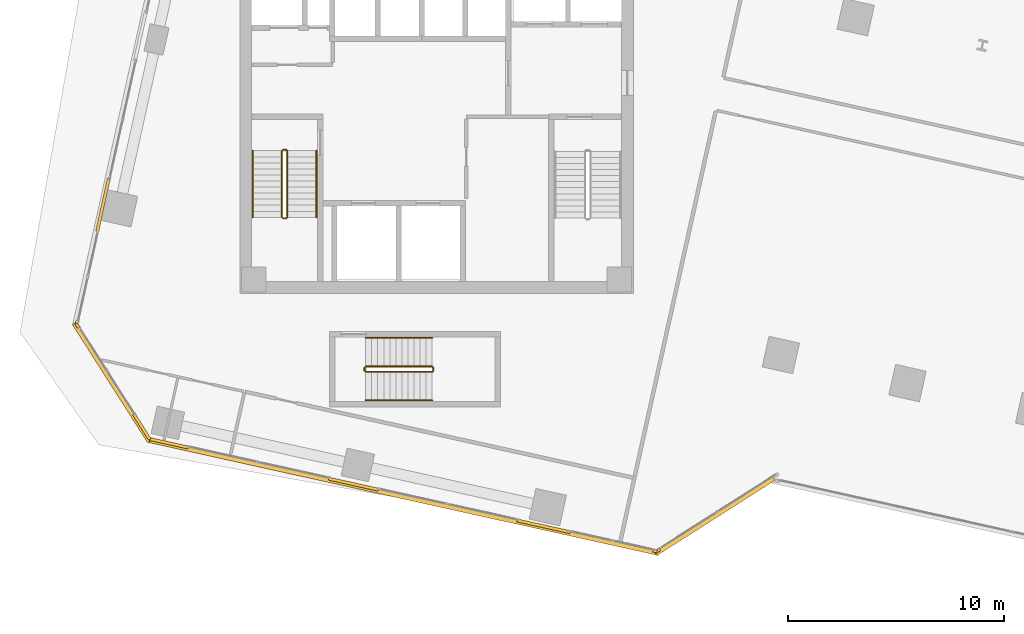
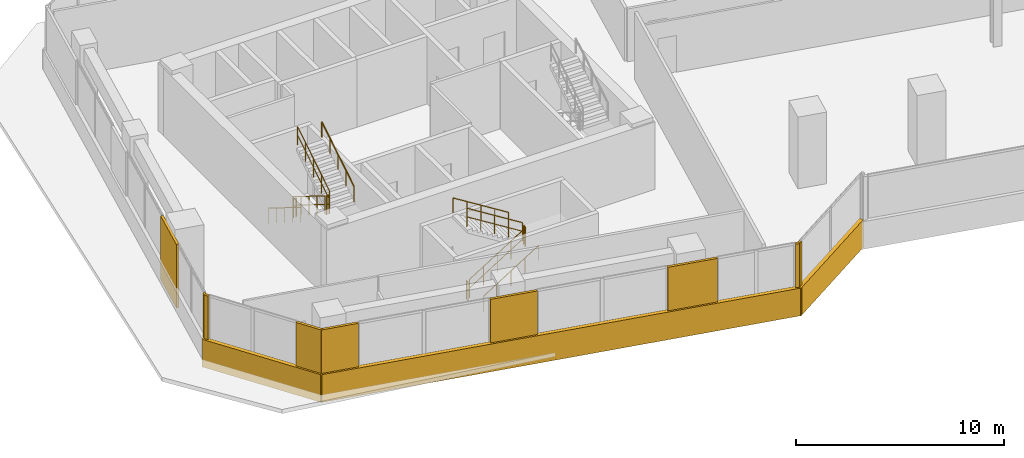
# One storey, part 22 of 25: 12 coverings, 12 railings.
"""IFC4 building model written with IfcOpenShell, lengths in metres."""

import ifcopenshell
import ifcopenshell.guid

model = None  # the IFC model being written
_history = None  # IfcOwnerHistory: only IFC2X3 demands one
_inside = {}  # id of a spatial element -> (the spatial element, [elements in it])
_under = {}  # id of a project, library or spatial element -> (it, [spatial elements below it])
_declared = {}  # id of a project -> (the project, [libraries it declares])
_typed = {}  # id of a type object -> (the type object, [elements of that type])
_made_of = {}  # id of a material, layer set ... -> (it, [elements and type objects made of it])


def new_model(schema):
    """Start an empty IFC model of exactly this schema.

    Asked for "IFC4X3", IfcOpenShell would pick the latest addendum, in which some entities
    have other attributes; the version numbers below select the first issue.
    IFC2X3 requires an IfcOwnerHistory on every rooted entity: one is made here for all.
    """
    global model, _history
    if schema == "IFC4X3":
        model = ifcopenshell.file(schema_version=(4, 3, 0, 0))
    else:
        model = ifcopenshell.file(schema=schema)
    _inside.clear()
    _under.clear()
    _declared.clear()
    _typed.clear()
    _made_of.clear()
    _history = None
    if model.schema == "IFC2X3":
        org = make("IfcOrganization", Name="unknown")
        user = make(
            "IfcPersonAndOrganization",
            ThePerson=make("IfcPerson", FamilyName="unknown"),
            TheOrganization=org,
        )
        app = make(
            "IfcApplication",
            ApplicationDeveloper=org,
            Version="unknown",
            ApplicationFullName="unknown",
            ApplicationIdentifier="unknown",
        )
        _history = make(
            "IfcOwnerHistory",
            OwningUser=user,
            OwningApplication=app,
            ChangeAction="ADDED",
            CreationDate=0,
        )
    return model


def make(cls, **values):
    """One entity of the class cls with the attributes given. An attribute that is None is left unset."""
    return model.create_entity(
        cls, **{name: value for name, value in values.items() if value is not None}
    )


def rooted(cls, **values):
    """An entity with a GlobalId (a new one), such as an element, a storey or a relation."""
    return make(cls, GlobalId=ifcopenshell.guid.new(), OwnerHistory=_history, **values)


def si_unit(unit_type, name, prefix=None):
    """IfcSIUnit, for example si_unit("LENGTHUNIT", "METRE", prefix="MILLI")."""
    return make("IfcSIUnit", UnitType=unit_type, Prefix=prefix, Name=name)


def assignment(units):
    """IfcUnitAssignment: the units of a project."""
    return None if units is None else make("IfcUnitAssignment", Units=units)


def point(xyz):
    """IfcCartesianPoint."""
    return None if xyz is None else make("IfcCartesianPoint", Coordinates=xyz)


def direction(xyz):
    """IfcDirection."""
    return None if xyz is None else make("IfcDirection", DirectionRatios=xyz)


def frame(location, z_axis=None, x_axis=None):
    """IfcAxis2Placement3D, a coordinate frame: its origin and axes. An axis left out is left unset."""
    return make(
        "IfcAxis2Placement3D",
        Location=point(location),
        Axis=direction(z_axis),
        RefDirection=direction(x_axis),
    )


def frame_2d(location, x_axis=None):
    """IfcAxis2Placement2D, a coordinate frame in the plane: its origin and x axis."""
    return make(
        "IfcAxis2Placement2D", Location=point(location), RefDirection=direction(x_axis)
    )


def origin():
    """The frame at (0, 0, 0) with its axes left unset."""
    return frame((0.0, 0.0, 0.0))


def origin_2d():
    """The frame at (0, 0) in the plane with its x axis left unset."""
    return frame_2d((0.0, 0.0))


def place(relative_to, where):
    """IfcLocalPlacement: puts the frame where relative to a parent placement (None: the world)."""
    return make(
        "IfcLocalPlacement", PlacementRelTo=relative_to, RelativePlacement=where
    )


def context(
    kind, dimensions, precision=None, world=None, true_north=None, identifier=None
):
    """IfcGeometricRepresentationContext, for example the 3D "Model" context."""
    return make(
        "IfcGeometricRepresentationContext",
        ContextIdentifier=identifier,
        ContextType=kind,
        CoordinateSpaceDimension=dimensions,
        Precision=precision,
        WorldCoordinateSystem=world,
        TrueNorth=true_north,
    )


def subcontext(parent, identifier, kind, view, scale=None):
    """IfcGeometricRepresentationSubContext, for example "Body" below "Model"."""
    return make(
        "IfcGeometricRepresentationSubContext",
        ContextIdentifier=identifier,
        ContextType=kind,
        ParentContext=parent,
        TargetScale=scale,
        TargetView=view,
    )


def project(units=None, contexts=None):
    """IfcProject with its units and contexts."""
    return rooted(
        "IfcProject",
        Name="project",
        RepresentationContexts=contexts,
        UnitsInContext=assignment(units),
    )


def spatial(cls, under=None, at=None, **own):
    """A site, building, storey or space (cls), placed at a placement, below another one or the project."""
    s = rooted(cls, ObjectPlacement=at, **own)
    if under is not None:
        _under.setdefault(under.id(), (under, []))[1].append(s)
    return s


def profile(cls, at=None, kind="AREA", **sizes):
    """A parametric profile (cls). Its sizes go by their IFC names, for example OverallWidth=200.0."""
    return make(cls, ProfileType=kind, Position=at, **sizes)


def rectangle(**sizes):
    """IfcRectangleProfileDef."""
    return profile("IfcRectangleProfileDef", **sizes)


def circle(**sizes):
    """IfcCircleProfileDef."""
    return profile("IfcCircleProfileDef", **sizes)


def extrude(swept, where, along, depth):
    """IfcExtrudedAreaSolid: the profile swept, set in the frame where, extruded along a direction by depth."""
    return make(
        "IfcExtrudedAreaSolid",
        SweptArea=swept,
        Position=where,
        ExtrudedDirection=direction(along),
        Depth=depth,
    )


def shape(context_of_items, identifier, shape_type, items):
    """IfcShapeRepresentation: the items that make up one representation, for example the "Body"."""
    return make(
        "IfcShapeRepresentation",
        ContextOfItems=context_of_items,
        RepresentationIdentifier=identifier,
        RepresentationType=shape_type,
        Items=items,
    )


def source(mapping_origin, context_of_items, identifier, shape_type, items):
    """IfcRepresentationMap: a shape defined once, which mapped items show again and again."""
    return make(
        "IfcRepresentationMap",
        MappingOrigin=mapping_origin,
        MappedRepresentation=shape(context_of_items, identifier, shape_type, items),
    )


def transform(
    local_origin,
    x_axis=None,
    y_axis=None,
    z_axis=None,
    scale=None,
    scale2=None,
    scale3=None,
    uniform=True,
):
    """IfcCartesianTransformationOperator3D, or its non-uniform kind. x_axis, y_axis, z_axis: its Axis1, 2, 3."""
    if uniform:
        return make(
            "IfcCartesianTransformationOperator3D",
            Axis1=direction(x_axis),
            Axis2=direction(y_axis),
            LocalOrigin=point(local_origin),
            Scale=scale,
            Axis3=direction(z_axis),
        )
    return make(
        "IfcCartesianTransformationOperator3DnonUniform",
        Axis1=direction(x_axis),
        Axis2=direction(y_axis),
        LocalOrigin=point(local_origin),
        Scale=scale,
        Axis3=direction(z_axis),
        Scale2=scale2,
        Scale3=scale3,
    )


def mapped(mapping_source, mapping_target):
    """IfcMappedItem: shows the shape of a source again, moved by a transform."""
    return make(
        "IfcMappedItem", MappingSource=mapping_source, MappingTarget=mapping_target
    )


def material(Name=None, Category=None):
    """IfcMaterial."""
    return make("IfcMaterial", Name=Name, Category=Category)


def layer(
    of_material, thickness, ventilated=None, Name=None, Category=None, Priority=None
):
    """IfcMaterialLayer: one layer of a wall or slab, of a material (None: an air gap)."""
    return make(
        "IfcMaterialLayer",
        Material=of_material,
        LayerThickness=thickness,
        IsVentilated=ventilated,
        Name=Name,
        Category=Category,
        Priority=Priority,
    )


def layer_set(layers, Name=None):
    """IfcMaterialLayerSet."""
    return make("IfcMaterialLayerSet", MaterialLayers=layers, LayerSetName=Name)


def made_of(thing, what):
    """Note that an element or type object is made of a material, layer set ...; save() writes the relation."""
    if what is not None:
        _made_of.setdefault(what.id(), (what, []))[1].append(thing)
    return thing


def type_object(cls, material=None, **own):
    """A type object (cls), such as IfcWallType, which elements share."""
    return made_of(rooted(cls, **own), material)


def element(
    cls,
    number,
    at=None,
    inside=None,
    cuts=None,
    type_object=None,
    material=None,
    context=None,
    identifier="Body",
    shape_type=None,
    held_by="IfcProductDefinitionShape",
    body=None,
    shapes=None,
    **own,
):
    """One element of the class cls, such as IfcWall. Its Tag is "e" and its number.

    at: its placement. inside: the storey or other place that contains it. cuts: it is an
    opening in that element (IfcRelVoidsElement). A single representation is given by context,
    identifier, shape_type and body (its items); several are given by shapes. held_by: the class
    of the entity that holds the representations. save() writes the other relations.
    """
    e = rooted(cls, Tag="e%d" % number, ObjectPlacement=at, **own)
    if body is not None:
        shapes = [shape(context, identifier, shape_type, body)]
    if shapes is not None:
        e.Representation = make(held_by, Representations=shapes)
    if inside is not None:
        _inside.setdefault(inside.id(), (inside, []))[1].append(e)
    if cuts is not None:
        rooted(
            "IfcRelVoidsElement", RelatingBuildingElement=cuts, RelatedOpeningElement=e
        )
    if type_object is not None:
        _typed.setdefault(type_object.id(), (type_object, []))[1].append(e)
    return made_of(e, material)


def aggregate(whole, parts):
    """IfcRelAggregates: a whole, such as a stair, and the parts it consists of."""
    return rooted("IfcRelAggregates", RelatingObject=whole, RelatedObjects=parts)


def save(model, path):
    """Write the relations noted so far, then the file.

    IfcRelAggregates (storeys below a building ...), IfcRelContainedInSpatialStructure (elements
    in a storey), IfcRelDefinesByType, IfcRelAssociatesMaterial and IfcRelDeclares: one each for
    every whole, place, type object, material and project.
    """
    for whole, parts in _under.values():
        aggregate(whole, parts)
    for where, things in _inside.values():
        rooted(
            "IfcRelContainedInSpatialStructure",
            RelatedElements=things,
            RelatingStructure=where,
        )
    for kind, things in _typed.values():
        rooted("IfcRelDefinesByType", RelatedObjects=things, RelatingType=kind)
    for what, things in _made_of.values():
        rooted("IfcRelAssociatesMaterial", RelatedObjects=things, RelatingMaterial=what)
    for by, libraries in _declared.values():
        rooted("IfcRelDeclares", RelatingContext=by, RelatedDefinitions=libraries)
    model.write(path)


model = new_model("IFC4")

# Units and contexts
model_context = context("Model", 3, precision=1e-05, world=origin(), true_north=direction((0.0, 1.0)))
body_context = subcontext(model_context, "Body", "Model", "MODEL_VIEW")
ifc_project = project(units=[si_unit("LENGTHUNIT", "METRE"), si_unit("AREAUNIT", "SQUARE_METRE"), si_unit("VOLUMEUNIT", "CUBIC_METRE"), si_unit("PLANEANGLEUNIT", "RADIAN"), si_unit("MASSUNIT", "GRAM", prefix="KILO")], contexts=[model_context])

# Site, building, storey
site_placement = place(None, origin())
site = spatial("IfcSite", under=ifc_project, at=site_placement, CompositionType="ELEMENT")
building_placement = place(site_placement, origin())
building = spatial("IfcBuilding", under=site, at=building_placement, Name="Torre Montelarca", CompositionType="ELEMENT")
storey_placement = place(building_placement, frame((0.0, 0.0, 87.39990234375)))
storey = spatial("IfcBuildingStorey", under=building, at=storey_placement, Name="L19", CompositionType="ELEMENT", Elevation=87.39990234375)

# Railings
ifc_material_1 = material(Name="Powder-coated steel ASTM A500 Grade C", Category="steel")
railing_type_1 = type_object("IfcRailingType", Name="RL-GUARD-1100", PredefinedType="BALUSTRADE", material=ifc_material_1)
railing_1_placement = place(storey_placement, frame((10.85009765625, 30.5, 0.175048828125)))
element("IfcRailing", 1, at=railing_1_placement, inside=storey, type_object=railing_type_1, Name="L19 ST1 stair guard 1", PredefinedType="BALUSTRADE", context=body_context, shape_type="SweptSolid", body=[
    extrude(circle(Radius=0.02392578125, at=origin_2d()), frame((0.0, 0.0, 1.076171875), z_axis=(0.0, -0.847998304005, 0.529998940003), x_axis=(1.0, 0.0, 0.0)), (0.0, 0.0, 1.0), 3.632080078125),
    extrude(circle(Radius=0.02099609375, at=origin_2d()), frame((0.0, 0.0, 0.572021484375), z_axis=(0.0, -0.847998304005, 0.529998940003), x_axis=(1.0, 0.0, 0.0)), (0.0, 0.0, 1.0), 3.632080078125),
    extrude(circle(Radius=0.02099609375, at=origin_2d()), origin(), (0.0, 0.0, 1.0), 1.052001953125),
    extrude(circle(Radius=0.02099609375, at=origin_2d()), frame((0.0, -0.77001953125, 0.481201171875)), (0.0, 0.0, 1.0), 1.052001953125),
    extrude(circle(Radius=0.02099609375, at=origin_2d()), frame((0.0, -1.5400390625, 0.96240234375)), (0.0, 0.0, 1.0), 1.052001953125),
    extrude(circle(Radius=0.02099609375, at=origin_2d()), frame((0.0, -2.31005859375, 1.44384765625)), (0.0, 0.0, 1.0), 1.052001953125),
    extrude(circle(Radius=0.02099609375, at=origin_2d()), frame((0.0, -3.080078125, 1.925048828125)), (0.0, 0.0, 1.0), 1.052001953125),
])
railing_2_placement = place(storey_placement, frame((10.89990234375, 27.3701171875, 2.10009765625)))
element("IfcRailing", 2, at=railing_2_placement, inside=storey, type_object=railing_type_1, Name="L19 ST1 stair guard 2", PredefinedType="BALUSTRADE", context=body_context, shape_type="SweptSolid", body=[
    extrude(circle(Radius=0.02392578125, at=origin_2d()), frame((0.0, 0.0, 1.076171875), z_axis=(1.0, 0.0, 0.0), x_axis=(0.0, 1.0, 0.0)), (0.0, 0.0, 1.0), 0.150146484375),
    extrude(circle(Radius=0.02099609375, at=origin_2d()), frame((0.0, 0.0, 0.572021484375), z_axis=(1.0, 0.0, 0.0), x_axis=(0.0, 1.0, 0.0)), (0.0, 0.0, 1.0), 0.150146484375),
    extrude(circle(Radius=0.02099609375, at=origin_2d()), origin(), (0.0, 0.0, 1.0), 1.052001953125),
    extrude(circle(Radius=0.02099609375, at=origin_2d()), frame((0.150146484375, 0.0, 0.0)), (0.0, 0.0, 1.0), 1.052001953125),
])
railing_3_placement = place(storey_placement, frame((11.10009765625, 27.419921875, 2.275146484375)))
element("IfcRailing", 3, at=railing_3_placement, inside=storey, type_object=railing_type_1, Name="L19 ST1 stair guard 3", PredefinedType="BALUSTRADE", context=body_context, shape_type="SweptSolid", body=[
    extrude(circle(Radius=0.02392578125, at=origin_2d()), frame((0.0, 0.0, 1.076171875), z_axis=(0.0, 0.847998304005, 0.529998940003), x_axis=(-1.0, 0.0, 0.0)), (0.0, 0.0, 1.0), 3.632080078125),
    extrude(circle(Radius=0.02099609375, at=origin_2d()), frame((0.0, 0.0, 0.572021484375), z_axis=(0.0, 0.847998304005, 0.529998940003), x_axis=(-1.0, 0.0, 0.0)), (0.0, 0.0, 1.0), 3.632080078125),
    extrude(circle(Radius=0.02099609375, at=origin_2d()), origin(), (0.0, 0.0, 1.0), 1.052001953125),
    extrude(circle(Radius=0.02099609375, at=origin_2d()), frame((0.0, 0.77001953125, 0.481201171875)), (0.0, 0.0, 1.0), 1.052001953125),
    extrude(circle(Radius=0.02099609375, at=origin_2d()), frame((0.0, 1.5400390625, 0.96240234375)), (0.0, 0.0, 1.0), 1.052001953125),
    extrude(circle(Radius=0.02099609375, at=origin_2d()), frame((0.0, 2.31005859375, 1.44384765625)), (0.0, 0.0, 1.0), 1.052001953125),
    extrude(circle(Radius=0.02099609375, at=origin_2d()), frame((0.0, 3.080078125, 1.925048828125)), (0.0, 0.0, 1.0), 1.052001953125),
])
railing_4_placement = place(storey_placement, frame((10.89990234375, 30.550048828125, 0.0)))
element("IfcRailing", 4, at=railing_4_placement, inside=storey, type_object=railing_type_1, Name="L19 ST1 stair guard 4", PredefinedType="BALUSTRADE", context=body_context, shape_type="SweptSolid", body=[
    extrude(circle(Radius=0.02392578125, at=origin_2d()), frame((0.0, 0.0, 1.076171875), z_axis=(1.0, 0.0, 0.0), x_axis=(0.0, 1.0, 0.0)), (0.0, 0.0, 1.0), 0.150146484375),
    extrude(circle(Radius=0.02099609375, at=origin_2d()), frame((0.0, 0.0, 0.572021484375), z_axis=(1.0, 0.0, 0.0), x_axis=(0.0, 1.0, 0.0)), (0.0, 0.0, 1.0), 0.150146484375),
    extrude(circle(Radius=0.02099609375, at=origin_2d()), origin(), (0.0, 0.0, 1.0), 1.052001953125),
    extrude(circle(Radius=0.02099609375, at=origin_2d()), frame((0.150146484375, 0.0, 0.0)), (0.0, 0.0, 1.0), 1.052001953125),
])
railing_5_placement = place(storey_placement, frame((14.719970703125, 20.27001953125, 0.175048828125)))
element("IfcRailing", 5, at=railing_5_placement, inside=storey, type_object=railing_type_1, Name="L19 ST3 stair guard 1", PredefinedType="BALUSTRADE", context=body_context, shape_type="SweptSolid", body=[
    extrude(circle(Radius=0.02392578125, at=origin_2d()), frame((0.0, 0.0, 1.076171875), z_axis=(0.847998304005, 0.0, 0.529998940003), x_axis=(0.0, 1.0, 0.0)), (0.0, 0.0, 1.0), 3.632080078125),
    extrude(circle(Radius=0.02099609375, at=origin_2d()), frame((0.0, 0.0, 0.572021484375), z_axis=(0.847998304005, 0.0, 0.529998940003), x_axis=(0.0, 1.0, 0.0)), (0.0, 0.0, 1.0), 3.632080078125),
    extrude(circle(Radius=0.02099609375, at=origin_2d()), origin(), (0.0, 0.0, 1.0), 1.052001953125),
    extrude(circle(Radius=0.02099609375, at=origin_2d()), frame((0.77001953125, 0.0, 0.481201171875)), (0.0, 0.0, 1.0), 1.052001953125),
    extrude(circle(Radius=0.02099609375, at=origin_2d()), frame((1.5400390625, 0.0, 0.96240234375)), (0.0, 0.0, 1.0), 1.052001953125),
    extrude(circle(Radius=0.02099609375, at=origin_2d()), frame((2.31005859375, 0.0, 1.44384765625)), (0.0, 0.0, 1.0), 1.052001953125),
    extrude(circle(Radius=0.02099609375, at=origin_2d()), frame((3.080078125, 0.0, 1.925048828125)), (0.0, 0.0, 1.0), 1.052001953125),
])
railing_6_placement = place(storey_placement, frame((17.85009765625, 20.320068359375, 2.10009765625)))
element("IfcRailing", 6, at=railing_6_placement, inside=storey, type_object=railing_type_1, Name="L19 ST3 stair guard 2", PredefinedType="BALUSTRADE", context=body_context, shape_type="SweptSolid", body=[
    extrude(circle(Radius=0.02392578125, at=origin_2d()), frame((0.0, 0.0, 1.076171875), z_axis=(0.0, 1.0, 0.0), x_axis=(-1.0, 0.0, 0.0)), (0.0, 0.0, 1.0), 0.14990234375),
    extrude(circle(Radius=0.02099609375, at=origin_2d()), frame((0.0, 0.0, 0.572021484375), z_axis=(0.0, 1.0, 0.0), x_axis=(-1.0, 0.0, 0.0)), (0.0, 0.0, 1.0), 0.14990234375),
    extrude(circle(Radius=0.02099609375, at=origin_2d()), origin(), (0.0, 0.0, 1.0), 1.052001953125),
    extrude(circle(Radius=0.02099609375, at=origin_2d()), frame((0.0, 0.14990234375, 0.0)), (0.0, 0.0, 1.0), 1.052001953125),
])
railing_7_placement = place(storey_placement, frame((17.800048828125, 20.52001953125, 2.275146484375)))
element("IfcRailing", 7, at=railing_7_placement, inside=storey, type_object=railing_type_1, Name="L19 ST3 stair guard 3", PredefinedType="BALUSTRADE", context=body_context, shape_type="SweptSolid", body=[
    extrude(circle(Radius=0.02392578125, at=origin_2d()), frame((0.0, 0.0, 1.076171875), z_axis=(-0.847998304005, 0.0, 0.529998940003), x_axis=(0.0, -1.0, 0.0)), (0.0, 0.0, 1.0), 3.632080078125),
    extrude(circle(Radius=0.02099609375, at=origin_2d()), frame((0.0, 0.0, 0.572021484375), z_axis=(-0.847998304005, 0.0, 0.529998940003), x_axis=(0.0, -1.0, 0.0)), (0.0, 0.0, 1.0), 3.632080078125),
    extrude(circle(Radius=0.02099609375, at=origin_2d()), origin(), (0.0, 0.0, 1.0), 1.052001953125),
    extrude(circle(Radius=0.02099609375, at=origin_2d()), frame((-0.77001953125, 0.0, 0.481201171875)), (0.0, 0.0, 1.0), 1.052001953125),
    extrude(circle(Radius=0.02099609375, at=origin_2d()), frame((-1.5400390625, 0.0, 0.96240234375)), (0.0, 0.0, 1.0), 1.052001953125),
    extrude(circle(Radius=0.02099609375, at=origin_2d()), frame((-2.31005859375, 0.0, 1.44384765625)), (0.0, 0.0, 1.0), 1.052001953125),
    extrude(circle(Radius=0.02099609375, at=origin_2d()), frame((-3.080078125, 0.0, 1.925048828125)), (0.0, 0.0, 1.0), 1.052001953125),
])
railing_8_placement = place(storey_placement, frame((14.669921875, 20.320068359375, 0.0)))
element("IfcRailing", 8, at=railing_8_placement, inside=storey, type_object=railing_type_1, Name="L19 ST3 stair guard 4", PredefinedType="BALUSTRADE", context=body_context, shape_type="SweptSolid", body=[
    extrude(circle(Radius=0.02392578125, at=origin_2d()), frame((0.0, 0.0, 1.076171875), z_axis=(0.0, 1.0, 0.0), x_axis=(-1.0, 0.0, 0.0)), (0.0, 0.0, 1.0), 0.14990234375),
    extrude(circle(Radius=0.02099609375, at=origin_2d()), frame((0.0, 0.0, 0.572021484375), z_axis=(0.0, 1.0, 0.0), x_axis=(-1.0, 0.0, 0.0)), (0.0, 0.0, 1.0), 0.14990234375),
    extrude(circle(Radius=0.02099609375, at=origin_2d()), origin(), (0.0, 0.0, 1.0), 1.052001953125),
    extrude(circle(Radius=0.02099609375, at=origin_2d()), frame((0.0, 0.14990234375, 0.0)), (0.0, 0.0, 1.0), 1.052001953125),
])
ifc_material_2 = material(Name="Brushed stainless steel AISI 316", Category="steel")
railing_type_2 = type_object("IfcRailingType", Name="RL-HANDRAIL-900", PredefinedType="HANDRAIL", material=ifc_material_2)
railing_9_placement = place(storey_placement, frame((9.5, 30.5, 0.175048828125)))
element("IfcRailing", 9, at=railing_9_placement, inside=storey, type_object=railing_type_2, Name="L19 ST1 stair handrail 1", PredefinedType="HANDRAIL", context=body_context, shape_type="SweptSolid", body=[
    extrude(circle(Radius=0.02392578125, at=origin_2d()), frame((0.0, 0.0, 0.8759765625), z_axis=(0.0, -0.847998304005, 0.529998940003), x_axis=(1.0, 0.0, 0.0)), (0.0, 0.0, 1.0), 3.632080078125),
    extrude(circle(Radius=0.02099609375, at=origin_2d()), origin(), (0.0, 0.0, 1.0), 0.851806640625),
    extrude(circle(Radius=0.02099609375, at=origin_2d()), frame((0.0, -0.77001953125, 0.481201171875)), (0.0, 0.0, 1.0), 0.851806640625),
    extrude(circle(Radius=0.02099609375, at=origin_2d()), frame((0.0, -1.5400390625, 0.96240234375)), (0.0, 0.0, 1.0), 0.851806640625),
    extrude(circle(Radius=0.02099609375, at=origin_2d()), frame((0.0, -2.31005859375, 1.44384765625)), (0.0, 0.0, 1.0), 0.851806640625),
    extrude(circle(Radius=0.02099609375, at=origin_2d()), frame((0.0, -3.080078125, 1.925048828125)), (0.0, 0.0, 1.0), 0.851806640625),
])
railing_10_placement = place(storey_placement, frame((12.449951171875, 27.419921875, 2.275146484375)))
element("IfcRailing", 10, at=railing_10_placement, inside=storey, type_object=railing_type_2, Name="L19 ST1 stair handrail 2", PredefinedType="HANDRAIL", context=body_context, shape_type="SweptSolid", body=[
    extrude(circle(Radius=0.02392578125, at=origin_2d()), frame((0.0, 0.0, 0.8759765625), z_axis=(0.0, 0.847998304005, 0.529998940003), x_axis=(-1.0, 0.0, 0.0)), (0.0, 0.0, 1.0), 3.632080078125),
    extrude(circle(Radius=0.02099609375, at=origin_2d()), origin(), (0.0, 0.0, 1.0), 0.851806640625),
    extrude(circle(Radius=0.02099609375, at=origin_2d()), frame((0.0, 0.77001953125, 0.481201171875)), (0.0, 0.0, 1.0), 0.851806640625),
    extrude(circle(Radius=0.02099609375, at=origin_2d()), frame((0.0, 1.5400390625, 0.96240234375)), (0.0, 0.0, 1.0), 0.851806640625),
    extrude(circle(Radius=0.02099609375, at=origin_2d()), frame((0.0, 2.31005859375, 1.44384765625)), (0.0, 0.0, 1.0), 0.851806640625),
    extrude(circle(Radius=0.02099609375, at=origin_2d()), frame((0.0, 3.080078125, 1.925048828125)), (0.0, 0.0, 1.0), 0.851806640625),
])
railing_11_placement = place(storey_placement, frame((14.719970703125, 18.949951171875, 0.175048828125)))
element("IfcRailing", 11, at=railing_11_placement, inside=storey, type_object=railing_type_2, Name="L19 ST3 stair handrail 1", PredefinedType="HANDRAIL", context=body_context, shape_type="SweptSolid", body=[
    extrude(circle(Radius=0.02392578125, at=origin_2d()), frame((0.0, 0.0, 0.8759765625), z_axis=(0.847998304005, 0.0, 0.529998940003), x_axis=(0.0, 1.0, 0.0)), (0.0, 0.0, 1.0), 3.632080078125),
    extrude(circle(Radius=0.02099609375, at=origin_2d()), origin(), (0.0, 0.0, 1.0), 0.851806640625),
    extrude(circle(Radius=0.02099609375, at=origin_2d()), frame((0.77001953125, 0.0, 0.481201171875)), (0.0, 0.0, 1.0), 0.851806640625),
    extrude(circle(Radius=0.02099609375, at=origin_2d()), frame((1.5400390625, 0.0, 0.96240234375)), (0.0, 0.0, 1.0), 0.851806640625),
    extrude(circle(Radius=0.02099609375, at=origin_2d()), frame((2.31005859375, 0.0, 1.44384765625)), (0.0, 0.0, 1.0), 0.851806640625),
    extrude(circle(Radius=0.02099609375, at=origin_2d()), frame((3.080078125, 0.0, 1.925048828125)), (0.0, 0.0, 1.0), 0.851806640625),
])
railing_12_placement = place(storey_placement, frame((17.800048828125, 21.840087890625, 2.275146484375)))
element("IfcRailing", 12, at=railing_12_placement, inside=storey, type_object=railing_type_2, Name="L19 ST3 stair handrail 2", PredefinedType="HANDRAIL", context=body_context, shape_type="SweptSolid", body=[
    extrude(circle(Radius=0.02392578125, at=origin_2d()), frame((0.0, 0.0, 0.8759765625), z_axis=(-0.847998304005, 0.0, 0.529998940003), x_axis=(0.0, -1.0, 0.0)), (0.0, 0.0, 1.0), 3.632080078125),
    extrude(circle(Radius=0.02099609375, at=origin_2d()), origin(), (0.0, 0.0, 1.0), 0.851806640625),
    extrude(circle(Radius=0.02099609375, at=origin_2d()), frame((-0.77001953125, 0.0, 0.481201171875)), (0.0, 0.0, 1.0), 0.851806640625),
    extrude(circle(Radius=0.02099609375, at=origin_2d()), frame((-1.5400390625, 0.0, 0.96240234375)), (0.0, 0.0, 1.0), 0.851806640625),
    extrude(circle(Radius=0.02099609375, at=origin_2d()), frame((-2.31005859375, 0.0, 1.44384765625)), (0.0, 0.0, 1.0), 0.851806640625),
    extrude(circle(Radius=0.02099609375, at=origin_2d()), frame((-3.080078125, 0.0, 1.925048828125)), (0.0, 0.0, 1.0), 0.851806640625),
])

# Coverings
ifc_material_3 = material(Name="Bush-hammered warm white precast concrete C45/55", Category="concrete")
ifc_layer = layer(ifc_material_3, 0.139892578125, Name="Bush-hammered warm white precast concrete C45/55", Category="concrete")
ifc_layer_set = layer_set([ifc_layer], Name="Bush-hammered warm white precast concrete C45/55")
covering_type = type_object("IfcCoveringType", Name="COV-TRAY-CLAD", PredefinedType="CLADDING", material=ifc_layer_set)
shared_shape_1 = source(origin(), body_context, "Body", "SweptSolid", [
    extrude(rectangle(XDim=24.219970703125, YDim=0.219970703125, at=origin_2d()), origin(), (0.0, 0.0, 1.0), 1.6201171875),
])
covering_1_placement = place(storey_placement, frame((16.444580078125, 14.509521484375, -0.449951171875), z_axis=(0.0, 0.0, 1.0), x_axis=(0.97629600712, -0.216439613938, 0.0)))
element("IfcCovering", 13, at=covering_1_placement, inside=storey, type_object=covering_type, Name="L19 Architectural White Spandrel Tray Band TRYBOT-01", PredefinedType="CLADDING", context=body_context, shape_type="MappedRepresentation", body=[
    mapped(shared_shape_1, transform((0.0, 0.0, 0.0), scale=1.0)),
])
shared_shape_2 = source(origin(), body_context, "Body", "SweptSolid", [
    extrude(rectangle(XDim=6.48388671875, YDim=0.219970703125, at=origin_2d()), origin(), (0.0, 0.0, 1.0), 1.6201171875),
])
for number, where, z_axis, x_axis, name in (
    (14, (30.869873046875, 13.607177734375, -0.449951171875), (0.0, 0.0, 1.0), (0.843387694733, 0.537305496317, 0.0), "L19 Architectural White Spandrel Tray Band TRYBOT-02"),
    (15, (2.9892578125, 19.7880859375, -0.449951171875), (0.0, 0.0, 1.0), (0.537305496317, -0.843387694733, 0.0), "L19 Architectural White Spandrel Tray Band TRYBOT-11"),
):
    element("IfcCovering", number, at=place(storey_placement, frame(where, z_axis=z_axis, x_axis=x_axis)), inside=storey, type_object=covering_type, Name=name, PredefinedType="CLADDING", context=body_context, shape_type="MappedRepresentation", body=[
        mapped(shared_shape_2, transform((0.0, 0.0, 0.0), scale=1.0)),
    ])
shared_shape_3 = source(origin(), body_context, "Body", "SweptSolid", [
    extrude(rectangle(XDim=1.864013671875, YDim=0.139892578125, at=origin_2d()), origin(), (0.0, 0.0, 1.0), 3.719970703125),
])
covering_2_placement = place(storey_placement, frame((5.61865234375, 16.97119140625, 0.0), z_axis=(0.0, 0.0, 1.0), x_axis=(0.97629600712, -0.216439613938, 0.0)))
element("IfcCovering", 16, at=covering_2_placement, inside=storey, type_object=covering_type, Name="L19 Architectural Column Pier Cladding E01-1", PredefinedType="CLADDING", context=body_context, shape_type="MappedRepresentation", body=[
    mapped(shared_shape_3, transform((0.0, 0.0, 0.0), scale=1.0)),
])
shared_shape_4 = source(origin(), body_context, "Body", "SweptSolid", [
    extrude(rectangle(XDim=0.199951171875, YDim=0.139892578125, at=origin_2d()), origin(), (0.0, 0.0, 1.0), 3.719970703125),
])
for number, where, z_axis, x_axis, name in (
    (17, (28.10888671875, 11.985107421875, 0.0), (0.0, 0.0, 1.0), (0.97629600712, -0.216439613938, 0.0), "L19 Architectural Column Pier Cladding E01-4"),
    (18, (28.251708984375, 12.01025390625, 0.0), (0.0, 0.0, 1.0), (0.843383943613, 0.537311384261, 0.0), "L19 Architectural Column Pier Cladding E02-1"),
    (19, (1.3671875, 22.54931640625, 0.0), (0.0, 0.0, 1.0), (-0.216441317896, -0.97629562936, 0.0), "L19 Architectural Column Pier Cladding E10-5"),
    (20, (1.392333984375, 22.40625, 0.0), (0.0, 0.0, 1.0), (0.537314328223, -0.843382068037, 0.0), "L19 Architectural Column Pier Cladding E11-1"),
):
    element("IfcCovering", number, at=place(storey_placement, frame(where, z_axis=z_axis, x_axis=x_axis)), inside=storey, type_object=covering_type, Name=name, PredefinedType="CLADDING", context=body_context, shape_type="MappedRepresentation", body=[
        mapped(shared_shape_4, transform((0.0, 0.0, 0.0), scale=1.0)),
    ])
shared_shape_5 = source(origin(), body_context, "Body", "SweptSolid", [
    extrude(rectangle(XDim=2.360107421875, YDim=0.139892578125, at=origin_2d()), origin(), (0.0, 0.0, 1.0), 3.719970703125),
])
covering_3_placement = place(storey_placement, frame((14.163330078125, 15.076904296875, 0.0), z_axis=(0.0, 0.0, 1.0), x_axis=(0.97629600712, -0.216439613938, 0.0)))
element("IfcCovering", 21, at=covering_3_placement, inside=storey, type_object=covering_type, Name="L19 Architectural Column Pier Cladding E01-2", PredefinedType="CLADDING", context=body_context, shape_type="MappedRepresentation", body=[
    mapped(shared_shape_5, transform((0.0, 0.0, 0.0), scale=1.0)),
])
shared_shape_6 = source(origin(), body_context, "Body", "SweptSolid", [
    extrude(rectangle(XDim=2.510009765625, YDim=0.139892578125, at=origin_2d()), origin(), (0.0, 0.0, 1.0), 3.719970703125),
])
for number, where, z_axis, x_axis, name in (
    (22, (22.949951171875, 13.12890625, 0.0), (0.0, 0.0, 1.0), (0.97629600712, -0.216439613938, 0.0), "L19 Architectural Column Pier Cladding E01-3"),
    (23, (2.575927734375, 28.001220703125, 0.0), (0.0, 0.0, 1.0), (-0.216441317896, -0.97629562936, 0.0), "L19 Architectural Column Pier Cladding E10-4"),
):
    element("IfcCovering", number, at=place(storey_placement, frame(where, z_axis=z_axis, x_axis=x_axis)), inside=storey, type_object=covering_type, Name=name, PredefinedType="CLADDING", context=body_context, shape_type="MappedRepresentation", body=[
        mapped(shared_shape_6, transform((0.0, 0.0, 0.0), scale=1.0)),
    ])
shared_shape_7 = source(origin(), body_context, "Body", "SweptSolid", [
    extrude(rectangle(XDim=1.376220703125, YDim=0.139892578125, at=origin_2d()), origin(), (0.0, 0.0, 1.0), 3.719970703125),
])
covering_4_placement = place(storey_placement, frame((4.371337890625, 17.73046875, 0.0), z_axis=(0.0, 0.0, 1.0), x_axis=(0.537314328223, -0.843382068037, 0.0)))
element("IfcCovering", 24, at=covering_4_placement, inside=storey, type_object=covering_type, Name="L19 Architectural Column Pier Cladding E11-2", PredefinedType="CLADDING", context=body_context, shape_type="MappedRepresentation", body=[
    mapped(shared_shape_7, transform((0.0, 0.0, 0.0), scale=1.0)),
])

save(model, "model.ifc")
